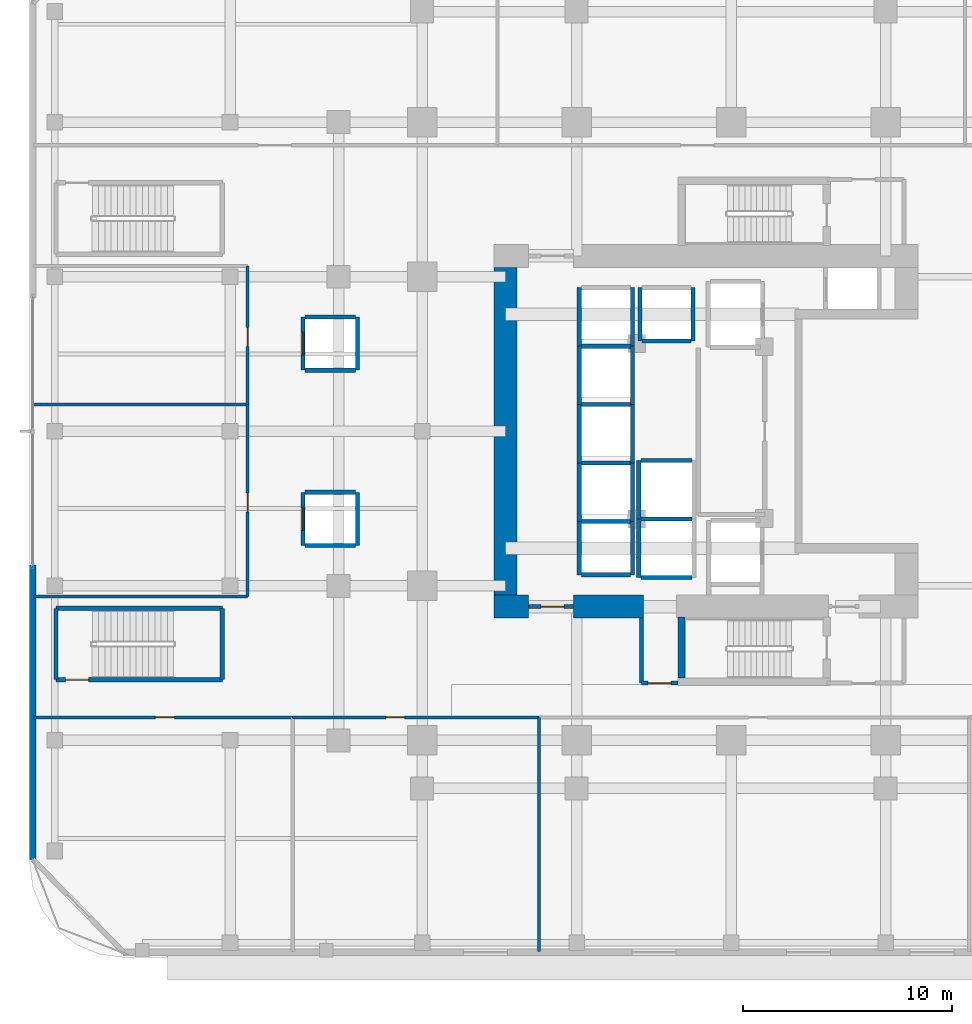
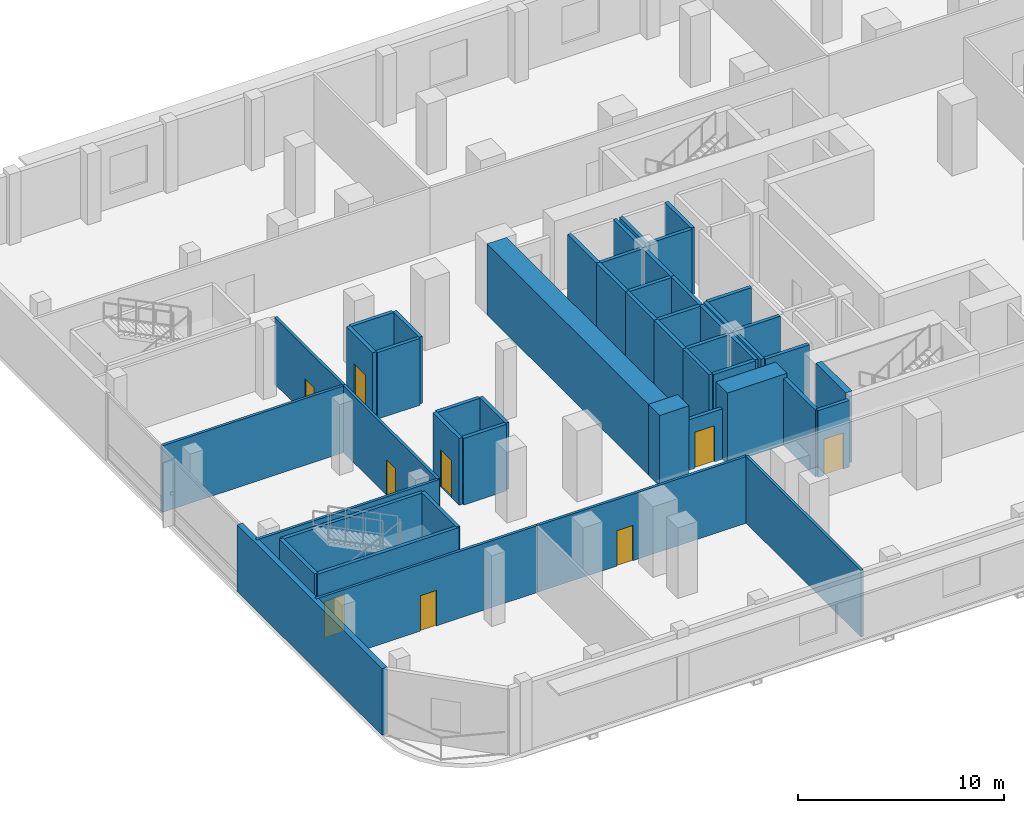
# One storey, part 8 of 19: 50 walls, 9 doors, 9 openings.
"""IFC4 building model written with IfcOpenShell, lengths in metres."""

from ifc_helpers import new_model, si_unit, direction, frame, frame_2d, origin, place, context, subcontext, project, spatial, rectangle, extrude, material, layer, layer_set, type_object, element, fill, save


model = new_model("IFC4")

# Units and contexts
model_context = context("Model", 3, precision=1e-05, world=origin(), true_north=direction((0.0, 1.0)))
body_context = subcontext(model_context, "Body", "Model", "MODEL_VIEW")
ifc_project = project(units=[si_unit("LENGTHUNIT", "METRE"), si_unit("AREAUNIT", "SQUARE_METRE"), si_unit("VOLUMEUNIT", "CUBIC_METRE"), si_unit("PLANEANGLEUNIT", "RADIAN"), si_unit("MASSUNIT", "GRAM", prefix="KILO")], contexts=[model_context])

# Site, building, storey
site_placement = place(None, origin())
site = spatial("IfcSite", under=ifc_project, at=site_placement, CompositionType="ELEMENT")
building_placement = place(site_placement, origin())
building = spatial("IfcBuilding", under=site, at=building_placement, Name="Khorvyn Point Tower", CompositionType="ELEMENT")
storey_placement = place(building_placement, frame((0.0, 0.0, 13.199951171875)))
storey = spatial("IfcBuildingStorey", under=building, at=storey_placement, Name="L04", CompositionType="ELEMENT", Elevation=13.199951171875)

# Wall, opening, door
ifc_material_1 = material(Name="Concrete C40/50", Category="concrete")
ifc_layer_1 = layer(ifc_material_1, 0.199951171875)
ifc_layer_set_1 = layer_set([ifc_layer_1], Name="Concrete C40/50 Fire-Lobby Compartment Wall 200")
wall_type_1 = type_object("IfcWallType", Name="Concrete C40/50 Fire-Lobby Compartment Wall 200", PredefinedType="SOLIDWALL", material=ifc_layer_set_1)
wall_1_placement = place(storey_placement, frame((-9.699951171875, -8.39990234375, 0.0), z_axis=(0.0, 0.0, 1.0), x_axis=(1.0, 0.0, 0.0)))
wall_1 = element("IfcWall", 1, at=wall_1_placement, inside=storey, type_object=wall_type_1, Name="Wall", PredefinedType="SOLIDWALL", context=body_context, shape_type="SweptSolid", body=[
    extrude(rectangle(XDim=2.14990234375, YDim=0.199951171875, at=frame_2d((1.074951171875, 0.0))), origin(), (0.0, 0.0, 1.0), 3.0),
])
opening_1_placement = place(wall_1_placement, frame((0.597900390625, 0.0, 0.0)))
opening_1 = element("IfcOpeningElement", 2, at=opening_1_placement, cuts=wall_1, Name="Opening ID-FL90", PredefinedType="OPENING", context=body_context, shape_type="SweptSolid", body=[
    extrude(rectangle(XDim=1.10009765625, YDim=2.14990234375, at=frame_2d((0.550048828125, 1.074951171875))), frame((0.0, 0.10986328125, 0.0), z_axis=(0.0, -1.0, 0.0), x_axis=(1.0, 0.0, 0.0)), (0.0, 0.0, 1.0), 0.219970703125),
])
ifc_material_2 = material(Name="Galvanised powder-coated steel", Category="steel")
door_type_1 = type_object("IfcDoorType", Name="Fire-Rated Steel Lobby and Stair Door 1100x2150", OperationType="NOTDEFINED", PredefinedType="DOOR", material=ifc_material_2)
door_1_placement = place(opening_1_placement, origin())
door_1 = element("IfcDoor", 3, at=door_1_placement, inside=storey, type_object=door_type_1, Name="Door", OperationType="SINGLE_SWING_RIGHT", OverallHeight=2.14990234375, OverallWidth=1.10009765625, PredefinedType="DOOR", context=body_context, shape_type="SweptSolid", body=[
    extrude(rectangle(XDim=1.10009765625, YDim=2.14990234375, at=frame_2d((0.550048828125, 1.074951171875))), frame((0.0, 0.02490234375, 0.0), z_axis=(0.0, -1.0, 0.0), x_axis=(1.0, 0.0, 0.0)), (0.0, 0.0, 1.0), 0.050048828125),
])
fill(opening_1, door_1)

wall_2_placement = place(storey_placement, frame((-4.300048828125, -12.06005859375, 0.0), z_axis=(0.0, 0.0, 1.0), x_axis=(1.0, 0.0, 0.0)))
wall_2 = element("IfcWall", 4, at=wall_2_placement, inside=storey, type_object=wall_type_1, Name="Wall", PredefinedType="SOLIDWALL", context=body_context, shape_type="SweptSolid", body=[
    extrude(rectangle(XDim=1.75, YDim=0.199951171875, at=frame_2d((0.875, 0.0))), origin(), (0.0, 0.0, 1.0), 3.9599609375),
])
opening_2_placement = place(wall_2_placement, frame((0.324951171875, 0.0, 0.0)))
opening_2 = element("IfcOpeningElement", 5, at=opening_2_placement, cuts=wall_2, Name="Opening ID-FL90", PredefinedType="OPENING", context=body_context, shape_type="SweptSolid", body=[
    extrude(rectangle(XDim=1.10009765625, YDim=2.14990234375, at=frame_2d((0.550048828125, 1.074951171875))), frame((0.0, 0.10986328125, 0.0), z_axis=(0.0, -1.0, 0.0), x_axis=(1.0, 0.0, 0.0)), (0.0, 0.0, 1.0), 0.219970703125),
])
door_2_placement = place(opening_2_placement, origin())
door_2 = element("IfcDoor", 6, at=door_2_placement, inside=storey, type_object=door_type_1, Name="Door", OperationType="SINGLE_SWING_RIGHT", OverallHeight=2.14990234375, OverallWidth=1.10009765625, PredefinedType="DOOR", context=body_context, shape_type="SweptSolid", body=[
    extrude(rectangle(XDim=1.10009765625, YDim=2.14990234375, at=frame_2d((0.550048828125, 1.074951171875))), frame((0.0, 0.02490234375, 0.0), z_axis=(0.0, -1.0, 0.0), x_axis=(1.0, 0.0, 0.0)), (0.0, 0.0, 1.0), 0.050048828125),
])
fill(opening_2, door_2)

# Walls
wall_3_placement = place(storey_placement, frame((-4.300048828125, -12.06005859375, 0.0), z_axis=(0.0, 0.0, 1.0), x_axis=(0.0, 1.0, 0.0)))
element("IfcWall", 7, at=wall_3_placement, inside=storey, type_object=wall_type_1, Name="Wall", PredefinedType="SOLIDWALL", context=body_context, shape_type="SweptSolid", body=[
    extrude(rectangle(XDim=3.110107421875, YDim=0.199951171875, at=frame_2d((1.55517578125, 0.0))), origin(), (0.0, 0.0, 1.0), 3.9599609375),
])
ifc_layer_2 = layer(ifc_material_1, 0.35009765625)
ifc_layer_set_2 = layer_set([ifc_layer_2], Name="Concrete C40/50 Stair Shaft Structural Wall 350")
wall_type_2 = type_object("IfcWallType", Name="Concrete C40/50 Stair Shaft Structural Wall 350", PredefinedType="SHEAR", material=ifc_layer_set_2)
wall_4_placement = place(storey_placement, frame((-2.3798828125, -11.824951171875, 0.0), z_axis=(0.0, 0.0, 1.0), x_axis=(0.0, 1.0, 0.0)))
element("IfcWall", 8, at=wall_4_placement, inside=storey, type_object=wall_type_2, Name="L04 ST-01 West Shaft Wall", PredefinedType="SHEAR", context=body_context, shape_type="SweptSolid", body=[
    extrude(rectangle(XDim=2.925048828125, YDim=0.35009765625, at=frame_2d((1.46240234375, 0.0))), origin(), (0.0, 0.0, 1.0), 4.199951171875),
])

# Wall, opening, door
ifc_layer_3 = layer(ifc_material_1, 0.199951171875)
ifc_layer_set_3 = layer_set([ifc_layer_3], Name="Concrete C40/50 Structural Hoistway and Stair Shaft Wall 200")
wall_type_3 = type_object("IfcWallType", Name="Concrete C40/50 Structural Hoistway and Stair Shaft Wall 200", PredefinedType="SHEAR", material=ifc_layer_set_3)
wall_5_placement = place(storey_placement, frame((-20.5, -5.47509765625, 0.0), z_axis=(0.0, 0.0, 1.0), x_axis=(0.0, 1.0, 0.0)))
wall_5 = element("IfcWall", 9, at=wall_5_placement, inside=storey, type_object=wall_type_3, Name="Wall", PredefinedType="SHEAR", context=body_context, shape_type="SweptSolid", body=[
    extrude(rectangle(XDim=2.550048828125, YDim=0.199951171875, at=frame_2d((1.27490234375, 0.0))), origin(), (0.0, 0.0, 1.0), 3.9599609375),
])
opening_3_placement = place(wall_5_placement, frame((0.72509765625, 0.0, 0.0)))
opening_3 = element("IfcOpeningElement", 10, at=opening_3_placement, cuts=wall_5, Name="Opening LD-1122", PredefinedType="OPENING", context=body_context, shape_type="SweptSolid", body=[
    extrude(rectangle(XDim=1.10009765625, YDim=2.199951171875, at=frame_2d((0.550048828125, 1.10009765625))), frame((0.0, 0.10986328125, 0.0), z_axis=(0.0, -1.0, 0.0), x_axis=(1.0, 0.0, 0.0)), (0.0, 0.0, 1.0), 0.219970703125),
])
ifc_material_3 = material(Name="Stainless steel 1.4301", Category="steel")
door_type_2 = type_object("IfcDoorType", Name="Stainless Steel Automatic Sliding Lift Landing Door 1100x2200", OperationType="SLIDING_TO_LEFT", PredefinedType="DOOR", material=ifc_material_3)
door_3_placement = place(opening_3_placement, origin())
door_3 = element("IfcDoor", 11, at=door_3_placement, inside=storey, type_object=door_type_2, Name="L04 SL-01 Sliding Lift Landing Door", OperationType="SLIDING_TO_LEFT", OverallHeight=2.199951171875, OverallWidth=1.10009765625, PredefinedType="DOOR", context=body_context, shape_type="SweptSolid", body=[
    extrude(rectangle(XDim=1.10009765625, YDim=2.199951171875, at=frame_2d((0.550048828125, 1.10009765625))), frame((0.0, 0.02490234375, 0.0), z_axis=(0.0, -1.0, 0.0), x_axis=(1.0, 0.0, 0.0)), (0.0, 0.0, 1.0), 0.050048828125),
])
fill(opening_3, door_3)

# Walls
wall_6_placement = place(storey_placement, frame((-17.89990234375, -5.47509765625, 0.0), z_axis=(0.0, 0.0, 1.0), x_axis=(0.0, 1.0, 0.0)))
element("IfcWall", 12, at=wall_6_placement, inside=storey, type_object=wall_type_3, Name="Wall", PredefinedType="SHEAR", context=body_context, shape_type="SweptSolid", body=[
    extrude(rectangle(XDim=2.550048828125, YDim=0.199951171875, at=frame_2d((1.27490234375, 0.0))), origin(), (0.0, 0.0, 1.0), 3.9599609375),
])
for number, where, z_axis, x_axis, name in (
    (13, (-20.39990234375, -5.47509765625, 0.0), (0.0, 0.0, 1.0), (1.0, 0.0, 0.0), "Wall"),
    (14, (-20.39990234375, -2.925048828125, 0.0), (0.0, 0.0, 1.0), (1.0, 0.0, 0.0), "Wall"),
):
    element("IfcWall", number, at=place(storey_placement, frame(where, z_axis=z_axis, x_axis=x_axis)), inside=storey, type_object=wall_type_3, Name=name, PredefinedType="SHEAR", context=body_context, shape_type="SweptSolid", body=[
        extrude(rectangle(XDim=2.39990234375, YDim=0.199951171875, at=frame_2d((1.199951171875, 0.0))), origin(), (0.0, 0.0, 1.0), 3.9599609375),
    ])

# Wall, opening, door
wall_7_placement = place(storey_placement, frame((-20.5, 2.925048828125, 0.0), z_axis=(0.0, 0.0, 1.0), x_axis=(0.0, 1.0, 0.0)))
wall_7 = element("IfcWall", 15, at=wall_7_placement, inside=storey, type_object=wall_type_3, Name="Wall", PredefinedType="SHEAR", context=body_context, shape_type="SweptSolid", body=[
    extrude(rectangle(XDim=2.550048828125, YDim=0.199951171875, at=frame_2d((1.27490234375, 0.0))), origin(), (0.0, 0.0, 1.0), 3.9599609375),
])
opening_4_placement = place(wall_7_placement, frame((0.72509765625, 0.0, 0.0)))
opening_4 = element("IfcOpeningElement", 16, at=opening_4_placement, cuts=wall_7, Name="Opening LD-1122", PredefinedType="OPENING", context=body_context, shape_type="SweptSolid", body=[
    extrude(rectangle(XDim=1.10009765625, YDim=2.199951171875, at=frame_2d((0.550048828125, 1.10009765625))), frame((0.0, 0.10986328125, 0.0), z_axis=(0.0, -1.0, 0.0), x_axis=(1.0, 0.0, 0.0)), (0.0, 0.0, 1.0), 0.219970703125),
])
door_4_placement = place(opening_4_placement, origin())
door_4 = element("IfcDoor", 17, at=door_4_placement, inside=storey, type_object=door_type_2, Name="L04 SL-02 Sliding Lift Landing Door", OperationType="SLIDING_TO_LEFT", OverallHeight=2.199951171875, OverallWidth=1.10009765625, PredefinedType="DOOR", context=body_context, shape_type="SweptSolid", body=[
    extrude(rectangle(XDim=1.10009765625, YDim=2.199951171875, at=frame_2d((0.550048828125, 1.10009765625))), frame((0.0, 0.02490234375, 0.0), z_axis=(0.0, -1.0, 0.0), x_axis=(1.0, 0.0, 0.0)), (0.0, 0.0, 1.0), 0.050048828125),
])
fill(opening_4, door_4)

# Walls
wall_8_placement = place(storey_placement, frame((-17.89990234375, 2.925048828125, 0.0), z_axis=(0.0, 0.0, 1.0), x_axis=(0.0, 1.0, 0.0)))
element("IfcWall", 18, at=wall_8_placement, inside=storey, type_object=wall_type_3, Name="Wall", PredefinedType="SHEAR", context=body_context, shape_type="SweptSolid", body=[
    extrude(rectangle(XDim=2.550048828125, YDim=0.199951171875, at=frame_2d((1.27490234375, 0.0))), origin(), (0.0, 0.0, 1.0), 3.9599609375),
])
for number, where, z_axis, x_axis, name in (
    (19, (-20.39990234375, 2.925048828125, 0.0), (0.0, 0.0, 1.0), (1.0, 0.0, 0.0), "Wall"),
    (20, (-20.39990234375, 5.47509765625, 0.0), (0.0, 0.0, 1.0), (1.0, 0.0, 0.0), "Wall"),
):
    element("IfcWall", number, at=place(storey_placement, frame(where, z_axis=z_axis, x_axis=x_axis)), inside=storey, type_object=wall_type_3, Name=name, PredefinedType="SHEAR", context=body_context, shape_type="SweptSolid", body=[
        extrude(rectangle(XDim=2.39990234375, YDim=0.199951171875, at=frame_2d((1.199951171875, 0.0))), origin(), (0.0, 0.0, 1.0), 3.9599609375),
    ])
for number, where, z_axis, x_axis, name in (
    (21, (-7.27490234375, -6.875, 0.0), (0.0, 0.0, 1.0), (0.0, 1.0, 0.0), "Wall"),
    (22, (-4.72509765625, -6.875, 0.0), (0.0, 0.0, 1.0), (0.0, 1.0, 0.0), "Wall"),
):
    element("IfcWall", number, at=place(storey_placement, frame(where, z_axis=z_axis, x_axis=x_axis)), inside=storey, type_object=wall_type_3, Name=name, PredefinedType="SHEAR", context=body_context, shape_type="SweptSolid", body=[
        extrude(rectangle(XDim=2.550048828125, YDim=0.199951171875, at=frame_2d((1.27490234375, 0.0))), origin(), (0.0, 0.0, 1.0), 3.9599609375),
    ])
for number, where, z_axis, x_axis, name in (
    (23, (-7.175048828125, -6.875, 0.0), (0.0, 0.0, 1.0), (1.0, 0.0, 0.0), "Wall"),
    (24, (-7.175048828125, -4.324951171875, 0.0), (0.0, 0.0, 1.0), (1.0, 0.0, 0.0), "Wall"),
):
    element("IfcWall", number, at=place(storey_placement, frame(where, z_axis=z_axis, x_axis=x_axis)), inside=storey, type_object=wall_type_3, Name=name, PredefinedType="SHEAR", context=body_context, shape_type="SweptSolid", body=[
        extrude(rectangle(XDim=2.35009765625, YDim=0.199951171875, at=frame_2d((1.175048828125, 0.0))), origin(), (0.0, 0.0, 1.0), 3.9599609375),
    ])
for number, where, z_axis, x_axis, name in (
    (25, (-7.27490234375, -4.324951171875, 0.0), (0.0, 0.0, 1.0), (0.0, 1.0, 0.0), "Wall"),
    (26, (-4.72509765625, -4.324951171875, 0.0), (0.0, 0.0, 1.0), (0.0, 1.0, 0.0), "Wall"),
):
    element("IfcWall", number, at=place(storey_placement, frame(where, z_axis=z_axis, x_axis=x_axis)), inside=storey, type_object=wall_type_3, Name=name, PredefinedType="SHEAR", context=body_context, shape_type="SweptSolid", body=[
        extrude(rectangle(XDim=2.800048828125, YDim=0.199951171875, at=frame_2d((1.39990234375, 0.0))), origin(), (0.0, 0.0, 1.0), 3.9599609375),
    ])
wall_9_placement = place(storey_placement, frame((-7.175048828125, -1.52490234375, 0.0), z_axis=(0.0, 0.0, 1.0), x_axis=(1.0, 0.0, 0.0)))
element("IfcWall", 27, at=wall_9_placement, inside=storey, type_object=wall_type_3, Name="Wall", PredefinedType="SHEAR", context=body_context, shape_type="SweptSolid", body=[
    extrude(rectangle(XDim=2.35009765625, YDim=0.199951171875, at=frame_2d((1.175048828125, 0.0))), origin(), (0.0, 0.0, 1.0), 3.9599609375),
])
for number, where, z_axis, x_axis, name in (
    (28, (-7.27490234375, -1.52490234375, 0.0), (0.0, 0.0, 1.0), (0.0, 1.0, 0.0), "Wall"),
    (29, (-4.72509765625, -1.52490234375, 0.0), (0.0, 0.0, 1.0), (0.0, 1.0, 0.0), "Wall"),
):
    element("IfcWall", number, at=place(storey_placement, frame(where, z_axis=z_axis, x_axis=x_axis)), inside=storey, type_object=wall_type_3, Name=name, PredefinedType="SHEAR", context=body_context, shape_type="SweptSolid", body=[
        extrude(rectangle(XDim=2.7998046875, YDim=0.199951171875, at=frame_2d((1.39990234375, 0.0))), origin(), (0.0, 0.0, 1.0), 3.9599609375),
    ])
wall_10_placement = place(storey_placement, frame((-7.175048828125, 1.27490234375, 0.0), z_axis=(0.0, 0.0, 1.0), x_axis=(1.0, 0.0, 0.0)))
element("IfcWall", 30, at=wall_10_placement, inside=storey, type_object=wall_type_3, Name="Wall", PredefinedType="SHEAR", context=body_context, shape_type="SweptSolid", body=[
    extrude(rectangle(XDim=2.35009765625, YDim=0.199951171875, at=frame_2d((1.175048828125, 0.0))), origin(), (0.0, 0.0, 1.0), 3.9599609375),
])
for number, where, z_axis, x_axis, name in (
    (31, (-7.27490234375, 1.27490234375, 0.0), (0.0, 0.0, 1.0), (0.0, 1.0, 0.0), "Wall"),
    (32, (-4.72509765625, 1.27490234375, 0.0), (0.0, 0.0, 1.0), (0.0, 1.0, 0.0), "Wall"),
):
    element("IfcWall", number, at=place(storey_placement, frame(where, z_axis=z_axis, x_axis=x_axis)), inside=storey, type_object=wall_type_3, Name=name, PredefinedType="SHEAR", context=body_context, shape_type="SweptSolid", body=[
        extrude(rectangle(XDim=2.800048828125, YDim=0.199951171875, at=frame_2d((1.39990234375, 0.0))), origin(), (0.0, 0.0, 1.0), 3.9599609375),
    ])
wall_11_placement = place(storey_placement, frame((-7.175048828125, 4.074951171875, 0.0), z_axis=(0.0, 0.0, 1.0), x_axis=(1.0, 0.0, 0.0)))
element("IfcWall", 33, at=wall_11_placement, inside=storey, type_object=wall_type_3, Name="Wall", PredefinedType="SHEAR", context=body_context, shape_type="SweptSolid", body=[
    extrude(rectangle(XDim=2.35009765625, YDim=0.199951171875, at=frame_2d((1.175048828125, 0.0))), origin(), (0.0, 0.0, 1.0), 3.9599609375),
])
for number, where, z_axis, x_axis, name in (
    (34, (-7.27490234375, 4.074951171875, 0.0), (0.0, 0.0, 1.0), (0.0, 1.0, 0.0), "Wall"),
    (35, (-4.72509765625, 4.074951171875, 0.0), (0.0, 0.0, 1.0), (0.0, 1.0, 0.0), "Wall"),
):
    element("IfcWall", number, at=place(storey_placement, frame(where, z_axis=z_axis, x_axis=x_axis)), inside=storey, type_object=wall_type_3, Name=name, PredefinedType="SHEAR", context=body_context, shape_type="SweptSolid", body=[
        extrude(rectangle(XDim=2.800048828125, YDim=0.199951171875, at=frame_2d((1.39990234375, 0.0))), origin(), (0.0, 0.0, 1.0), 3.9599609375),
    ])
for number, where, z_axis, x_axis, name in (
    (36, (-4.375, 4.324951171875, 0.0), (0.0, 0.0, 1.0), (0.0, 1.0, 0.0), "Wall"),
    (37, (-1.824951171875, 4.324951171875, 0.0), (0.0, 0.0, 1.0), (0.0, 1.0, 0.0), "Wall"),
):
    element("IfcWall", number, at=place(storey_placement, frame(where, z_axis=z_axis, x_axis=x_axis)), inside=storey, type_object=wall_type_3, Name=name, PredefinedType="SHEAR", context=body_context, shape_type="SweptSolid", body=[
        extrude(rectangle(XDim=2.550048828125, YDim=0.199951171875, at=frame_2d((1.27490234375, 0.0))), origin(), (0.0, 0.0, 1.0), 3.9599609375),
    ])
wall_12_placement = place(storey_placement, frame((-4.27490234375, 4.324951171875, 0.0), z_axis=(0.0, 0.0, 1.0), x_axis=(1.0, 0.0, 0.0)))
element("IfcWall", 38, at=wall_12_placement, inside=storey, type_object=wall_type_3, Name="Wall", PredefinedType="SHEAR", context=body_context, shape_type="SweptSolid", body=[
    extrude(rectangle(XDim=2.349853515625, YDim=0.199951171875, at=frame_2d((1.1748046875, 0.0))), origin(), (0.0, 0.0, 1.0), 3.9599609375),
])
wall_13_placement = place(storey_placement, frame((-4.425048828125, -7.0, 0.0), z_axis=(0.0, 0.0, 1.0), x_axis=(0.0, 1.0, 0.0)))
element("IfcWall", 39, at=wall_13_placement, inside=storey, type_object=wall_type_3, Name="Wall", PredefinedType="SHEAR", context=body_context, shape_type="SweptSolid", body=[
    extrude(rectangle(XDim=2.800048828125, YDim=0.199951171875, at=frame_2d((1.39990234375, 0.0))), origin(), (0.0, 0.0, 1.0), 3.9599609375),
])
for number, where, z_axis, x_axis, name in (
    (40, (-4.324951171875, -7.0, 0.0), (0.0, 0.0, 1.0), (1.0, 0.0, 0.0), "Wall"),
    (41, (-4.324951171875, -4.199951171875, 0.0), (0.0, 0.0, 1.0), (1.0, 0.0, 0.0), "Wall"),
):
    element("IfcWall", number, at=place(storey_placement, frame(where, z_axis=z_axis, x_axis=x_axis)), inside=storey, type_object=wall_type_3, Name=name, PredefinedType="SHEAR", context=body_context, shape_type="SweptSolid", body=[
        extrude(rectangle(XDim=2.449951171875, YDim=0.199951171875, at=frame_2d((1.22509765625, 0.0))), origin(), (0.0, 0.0, 1.0), 3.9599609375),
    ])
wall_14_placement = place(storey_placement, frame((-4.425048828125, -4.199951171875, 0.0), z_axis=(0.0, 0.0, 1.0), x_axis=(0.0, 1.0, 0.0)))
element("IfcWall", 42, at=wall_14_placement, inside=storey, type_object=wall_type_3, Name="Wall", PredefinedType="SHEAR", context=body_context, shape_type="SweptSolid", body=[
    extrude(rectangle(XDim=2.800048828125, YDim=0.199951171875, at=frame_2d((1.39990234375, 0.0))), origin(), (0.0, 0.0, 1.0), 3.9599609375),
])
wall_15_placement = place(storey_placement, frame((-4.324951171875, -1.39990234375, 0.0), z_axis=(0.0, 0.0, 1.0), x_axis=(1.0, 0.0, 0.0)))
element("IfcWall", 43, at=wall_15_placement, inside=storey, type_object=wall_type_3, Name="Wall", PredefinedType="SHEAR", context=body_context, shape_type="SweptSolid", body=[
    extrude(rectangle(XDim=2.449951171875, YDim=0.199951171875, at=frame_2d((1.22509765625, 0.0))), origin(), (0.0, 0.0, 1.0), 3.9599609375),
])
for number, where, z_axis, x_axis, name in (
    (44, (-32.330078125, -11.89990234375, 0.0), (0.0, 0.0, 1.0), (0.0, 1.0, 0.0), "Wall"),
    (45, (-24.3701171875, -8.47998046875, 0.0), (0.0, 0.0, 1.0), (0.0, -1.0, 0.0), "Wall"),
):
    element("IfcWall", number, at=place(storey_placement, frame(where, z_axis=z_axis, x_axis=x_axis)), inside=storey, type_object=wall_type_3, Name=name, PredefinedType="SHEAR", context=body_context, shape_type="SweptSolid", body=[
        extrude(rectangle(XDim=3.419921875, YDim=0.199951171875, at=frame_2d((1.7099609375, 0.0))), origin(), (0.0, 0.0, 1.0), 3.9599609375),
    ])

# Wall, opening, door
wall_16_placement = place(storey_placement, frame((-24.3701171875, -11.89990234375, 0.0), z_axis=(0.0, 0.0, 1.0), x_axis=(-1.0, 0.0, 0.0)))
wall_16 = element("IfcWall", 46, at=wall_16_placement, inside=storey, type_object=wall_type_3, Name="Wall", PredefinedType="SHEAR", context=body_context, shape_type="SweptSolid", body=[
    extrude(rectangle(XDim=7.9599609375, YDim=0.199951171875, at=frame_2d((3.97998046875, 0.0))), origin(), (0.0, 0.0, 1.0), 3.9599609375),
])
opening_5_placement = place(wall_16_placement, frame((6.39990234375, 0.0, 0.0)))
opening_5 = element("IfcOpeningElement", 47, at=opening_5_placement, cuts=wall_16, Name="Opening ID-FL90", PredefinedType="OPENING", context=body_context, shape_type="SweptSolid", body=[
    extrude(rectangle(XDim=1.10009765625, YDim=2.14990234375, at=frame_2d((0.550048828125, 1.074951171875))), frame((0.0, 0.10986328125, 0.0), z_axis=(0.0, -1.0, 0.0), x_axis=(1.0, 0.0, 0.0)), (0.0, 0.0, 1.0), 0.219970703125),
])
door_5_placement = place(opening_5_placement, origin())
door_5 = element("IfcDoor", 48, at=door_5_placement, inside=storey, type_object=door_type_1, Name="L04 ST-S1 Smokeproof Landing Door", OperationType="SINGLE_SWING_LEFT", OverallHeight=2.14990234375, OverallWidth=1.10009765625, PredefinedType="DOOR", context=body_context, shape_type="SweptSolid", body=[
    extrude(rectangle(XDim=1.10009765625, YDim=2.14990234375, at=frame_2d((0.550048828125, 1.074951171875))), frame((0.0, 0.02490234375, 0.0), z_axis=(0.0, -1.0, 0.0), x_axis=(1.0, 0.0, 0.0)), (0.0, 0.0, 1.0), 0.050048828125),
])
fill(opening_5, door_5)

# Walls
wall_17_placement = place(storey_placement, frame((-32.330078125, -8.47998046875, 0.0), z_axis=(0.0, 0.0, 1.0), x_axis=(1.0, 0.0, 0.0)))
element("IfcWall", 49, at=wall_17_placement, inside=storey, type_object=wall_type_3, Name="Wall", PredefinedType="SHEAR", context=body_context, shape_type="SweptSolid", body=[
    extrude(rectangle(XDim=7.9599609375, YDim=0.199951171875, at=frame_2d((3.97998046875, 0.0))), origin(), (0.0, 0.0, 1.0), 3.9599609375),
])
ifc_material_4 = material(Name="Concrete C50/60", Category="concrete")
ifc_layer_4 = layer(ifc_material_4, 1.10009765625)
ifc_layer_set_4 = layer_set([ifc_layer_4], Name="Concrete C50/60 Core Shear Wall 1100")
wall_type_4 = type_object("IfcWallType", Name="Concrete C50/60 Core Shear Wall 1100", PredefinedType="SHEAR", material=ifc_layer_set_4)
wall_18_placement = place(storey_placement, frame((-11.35009765625, -8.39990234375, 0.0), z_axis=(0.0, 0.0, 1.0), x_axis=(1.0, 0.0, 0.0)))
element("IfcWall", 50, at=wall_18_placement, inside=storey, type_object=wall_type_4, Name="Wall", PredefinedType="SHEAR", context=body_context, shape_type="SweptSolid", body=[
    extrude(rectangle(XDim=1.650146484375, YDim=1.10009765625, at=frame_2d((0.8251953125, 0.0))), origin(), (0.0, 0.0, 1.0), 4.199951171875),
])
wall_19_placement = place(storey_placement, frame((-7.550048828125, -8.39990234375, 0.0), z_axis=(0.0, 0.0, 1.0), x_axis=(1.0, 0.0, 0.0)))
element("IfcWall", 51, at=wall_19_placement, inside=storey, type_object=wall_type_4, Name="Wall", PredefinedType="SHEAR", context=body_context, shape_type="SweptSolid", body=[
    extrude(rectangle(XDim=3.35009765625, YDim=1.10009765625, at=frame_2d((1.675048828125, 0.0))), origin(), (0.0, 0.0, 1.0), 4.199951171875),
])
wall_20_placement = place(storey_placement, frame((-10.800048828125, -7.85009765625, 0.0), z_axis=(0.0, 0.0, 1.0), x_axis=(0.0, 1.0, 0.0)))
element("IfcWall", 52, at=wall_20_placement, inside=storey, type_object=wall_type_4, Name="Wall", PredefinedType="SHEAR", context=body_context, shape_type="SweptSolid", body=[
    extrude(rectangle(XDim=15.7001953125, YDim=1.10009765625, at=frame_2d((7.85009765625, 0.0))), origin(), (0.0, 0.0, 1.0), 4.199951171875),
])

# Wall, opening, door
ifc_material_5 = material(Name="Moisture-resistant gypsum and cement board", Category="gypsum")
ifc_layer_5 = layer(ifc_material_5, 0.14990234375)
ifc_layer_set_5 = layer_set([ifc_layer_5], Name="Moisture-Resistant Wet-Room Partition Wall 150")
wall_type_5 = type_object("IfcWallType", Name="Moisture-Resistant Wet-Room Partition Wall 150", PredefinedType="PARTITIONING", material=ifc_layer_set_5)
wall_21_placement = place(storey_placement, frame((-23.159912109375, -7.919921875, 0.0), z_axis=(0.0, 0.0, 1.0), x_axis=(0.0, 1.0, 0.0)))
wall_21 = element("IfcWall", 53, at=wall_21_placement, inside=storey, type_object=wall_type_5, Name="Wall", PredefinedType="PARTITIONING", context=body_context, shape_type="SweptSolid", body=[
    extrude(rectangle(XDim=9.199951171875, YDim=0.14990234375, at=frame_2d((4.60009765625, 0.0))), origin(), (0.0, 0.0, 1.0), 3.9599609375),
])
opening_6_placement = place(wall_21_placement, frame((4.061279296875, 0.0, 0.0)))
opening_6 = element("IfcOpeningElement", 54, at=opening_6_placement, cuts=wall_21, Name="Opening ID-RM90", PredefinedType="OPENING", context=body_context, shape_type="SweptSolid", body=[
    extrude(rectangle(XDim=0.89990234375, YDim=2.10009765625, at=frame_2d((0.449951171875, 1.050048828125))), frame((0.0, 0.0849609375, 0.0), z_axis=(0.0, -1.0, 0.0), x_axis=(1.0, 0.0, 0.0)), (0.0, 0.0, 1.0), 0.169921875),
])
ifc_material_6 = material(Name="Engineered oak veneer timber", Category="wood")
door_type_3 = type_object("IfcDoorType", Name="Flush Engineered Timber Room Door 900x2100", OperationType="NOTDEFINED", PredefinedType="DOOR", material=ifc_material_6)
door_6_placement = place(opening_6_placement, origin())
door_6 = element("IfcDoor", 55, at=door_6_placement, inside=storey, type_object=door_type_3, Name="Door", OperationType="SINGLE_SWING_LEFT", OverallHeight=2.10009765625, OverallWidth=0.89990234375, PredefinedType="DOOR", context=body_context, shape_type="SweptSolid", body=[
    extrude(rectangle(XDim=0.89990234375, YDim=2.10009765625, at=frame_2d((0.449951171875, 1.050048828125))), frame((0.0, 0.02490234375, 0.0), z_axis=(0.0, -1.0, 0.0), x_axis=(1.0, 0.0, 0.0)), (0.0, 0.0, 1.0), 0.050048828125),
])
fill(opening_6, door_6)

wall_22_placement = place(storey_placement, frame((-23.159912109375, 1.280029296875, 0.0), z_axis=(0.0, 0.0, 1.0), x_axis=(0.0, 1.0, 0.0)))
wall_22 = element("IfcWall", 56, at=wall_22_placement, inside=storey, type_object=wall_type_5, Name="Wall", PredefinedType="PARTITIONING", context=body_context, shape_type="SweptSolid", body=[
    extrude(rectangle(XDim=6.639892578125, YDim=0.14990234375, at=frame_2d((3.31982421875, 0.0))), origin(), (0.0, 0.0, 1.0), 3.9599609375),
])
opening_7_placement = place(wall_22_placement, frame((2.78271484375, 0.0, 0.0)))
opening_7 = element("IfcOpeningElement", 57, at=opening_7_placement, cuts=wall_22, Name="Opening ID-RM90", PredefinedType="OPENING", context=body_context, shape_type="SweptSolid", body=[
    extrude(rectangle(XDim=0.89990234375, YDim=2.10009765625, at=frame_2d((0.449951171875, 1.050048828125))), frame((0.0, 0.0849609375, 0.0), z_axis=(0.0, -1.0, 0.0), x_axis=(1.0, 0.0, 0.0)), (0.0, 0.0, 1.0), 0.169921875),
])
door_7_placement = place(opening_7_placement, origin())
door_7 = element("IfcDoor", 58, at=door_7_placement, inside=storey, type_object=door_type_3, Name="Door", OperationType="SINGLE_SWING_RIGHT", OverallHeight=2.10009765625, OverallWidth=0.89990234375, PredefinedType="DOOR", context=body_context, shape_type="SweptSolid", body=[
    extrude(rectangle(XDim=0.89990234375, YDim=2.10009765625, at=frame_2d((0.449951171875, 1.050048828125))), frame((0.0, 0.02490234375, 0.0), z_axis=(0.0, -1.0, 0.0), x_axis=(1.0, 0.0, 0.0)), (0.0, 0.0, 1.0), 0.050048828125),
])
fill(opening_7, door_7)

wall_23_placement = place(storey_placement, frame((-33.419921875, -13.699951171875, 0.0), z_axis=(0.0, 0.0, 1.0), x_axis=(1.0, 0.0, 0.0)))
wall_23 = element("IfcWall", 59, at=wall_23_placement, inside=storey, type_object=wall_type_5, Name="Wall", PredefinedType="PARTITIONING", context=body_context, shape_type="SweptSolid", body=[
    extrude(rectangle(XDim=12.419921875, YDim=0.14990234375, at=frame_2d((6.2099609375, 0.0))), origin(), (0.0, 0.0, 1.0), 3.9599609375),
])
opening_8_placement = place(wall_23_placement, frame((5.848876953125, 0.0, 0.0)))
opening_8 = element("IfcOpeningElement", 60, at=opening_8_placement, cuts=wall_23, Name="Opening ID-RM90", PredefinedType="OPENING", context=body_context, shape_type="SweptSolid", body=[
    extrude(rectangle(XDim=0.89990234375, YDim=2.10009765625, at=frame_2d((0.449951171875, 1.050048828125))), frame((0.0, 0.0849609375, 0.0), z_axis=(0.0, -1.0, 0.0), x_axis=(1.0, 0.0, 0.0)), (0.0, 0.0, 1.0), 0.169921875),
])
door_8_placement = place(opening_8_placement, origin())
door_8 = element("IfcDoor", 61, at=door_8_placement, inside=storey, type_object=door_type_3, Name="Door", OperationType="SINGLE_SWING_LEFT", OverallHeight=2.10009765625, OverallWidth=0.89990234375, PredefinedType="DOOR", context=body_context, shape_type="SweptSolid", body=[
    extrude(rectangle(XDim=0.89990234375, YDim=2.10009765625, at=frame_2d((0.449951171875, 1.050048828125))), frame((0.0, 0.02490234375, 0.0), z_axis=(0.0, -1.0, 0.0), x_axis=(1.0, 0.0, 0.0)), (0.0, 0.0, 1.0), 0.050048828125),
])
fill(opening_8, door_8)

wall_24_placement = place(storey_placement, frame((-21.0, -13.699951171875, 0.0), z_axis=(0.0, 0.0, 1.0), x_axis=(1.0, 0.0, 0.0)))
wall_24 = element("IfcWall", 62, at=wall_24_placement, inside=storey, type_object=wall_type_5, Name="Wall", PredefinedType="PARTITIONING", context=body_context, shape_type="SweptSolid", body=[
    extrude(rectangle(XDim=11.800048828125, YDim=0.14990234375, at=frame_2d((5.89990234375, 0.0))), origin(), (0.0, 0.0, 1.0), 3.9599609375),
])
opening_9_placement = place(wall_24_placement, frame((4.463623046875, 0.0, 0.0)))
opening_9 = element("IfcOpeningElement", 63, at=opening_9_placement, cuts=wall_24, Name="Opening ID-RM90", PredefinedType="OPENING", context=body_context, shape_type="SweptSolid", body=[
    extrude(rectangle(XDim=0.89990234375, YDim=2.10009765625, at=frame_2d((0.449951171875, 1.050048828125))), frame((0.0, 0.0849609375, 0.0), z_axis=(0.0, -1.0, 0.0), x_axis=(1.0, 0.0, 0.0)), (0.0, 0.0, 1.0), 0.169921875),
])
door_9_placement = place(opening_9_placement, origin())
door_9 = element("IfcDoor", 64, at=door_9_placement, inside=storey, type_object=door_type_3, Name="Door", OperationType="SINGLE_SWING_RIGHT", OverallHeight=2.10009765625, OverallWidth=0.89990234375, PredefinedType="DOOR", context=body_context, shape_type="SweptSolid", body=[
    extrude(rectangle(XDim=0.89990234375, YDim=2.10009765625, at=frame_2d((0.449951171875, 1.050048828125))), frame((0.0, 0.02490234375, 0.0), z_axis=(0.0, -1.0, 0.0), x_axis=(1.0, 0.0, 0.0)), (0.0, 0.0, 1.0), 0.050048828125),
])
fill(opening_9, door_9)

# Walls
for number, where, z_axis, x_axis, name in (
    (65, (-33.419921875, -7.919921875, 0.0), (0.0, 0.0, 1.0), (1.0, 0.0, 0.0), "Wall"),
    (66, (-33.419921875, 1.280029296875, 0.0), (0.0, 0.0, 1.0), (1.0, 0.0, 0.0), "Wall"),
):
    element("IfcWall", number, at=place(storey_placement, frame(where, z_axis=z_axis, x_axis=x_axis)), inside=storey, type_object=wall_type_5, Name=name, PredefinedType="PARTITIONING", context=body_context, shape_type="SweptSolid", body=[
        extrude(rectangle(XDim=10.260009765625, YDim=0.14990234375, at=frame_2d((5.1298828125, 0.0))), origin(), (0.0, 0.0, 1.0), 3.9599609375),
    ])
wall_25_placement = place(storey_placement, frame((-9.199951171875, -24.919921875, 0.0), z_axis=(0.0, 0.0, 1.0), x_axis=(0.0, 1.0, 0.0)))
element("IfcWall", 67, at=wall_25_placement, inside=storey, type_object=wall_type_5, Name="Wall", PredefinedType="PARTITIONING", context=body_context, shape_type="SweptSolid", body=[
    extrude(rectangle(XDim=11.219970703125, YDim=0.14990234375, at=frame_2d((5.60986328125, 0.0))), origin(), (0.0, 0.0, 1.0), 3.9599609375),
])
ifc_material_7 = material(Name="Precast concrete C35/45", Category="concrete")
ifc_layer_6 = layer(ifc_material_7, 0.300048828125)
ifc_layer_set_6 = layer_set([ifc_layer_6], Name="Precast Concrete C35/45 Insulated Podium Facade Wall 300")
wall_type_6 = type_object("IfcWallType", Name="Precast Concrete C35/45 Insulated Podium Facade Wall 300", PredefinedType="SOLIDWALL", material=ifc_layer_set_6)
wall_26_placement = place(storey_placement, frame((-33.449951171875, -20.5, 0.0), z_axis=(0.0, 0.0, 1.0), x_axis=(0.0, 1.0, 0.0)))
element("IfcWall", 68, at=wall_26_placement, inside=storey, type_object=wall_type_6, Name="Wall", PredefinedType="SOLIDWALL", context=body_context, shape_type="SweptSolid", body=[
    extrude(rectangle(XDim=14.090087890625, YDim=0.300048828125, at=frame_2d((7.044921875, 0.0))), origin(), (0.0, 0.0, 1.0), 3.9599609375),
])

save(model, "model.ifc")
